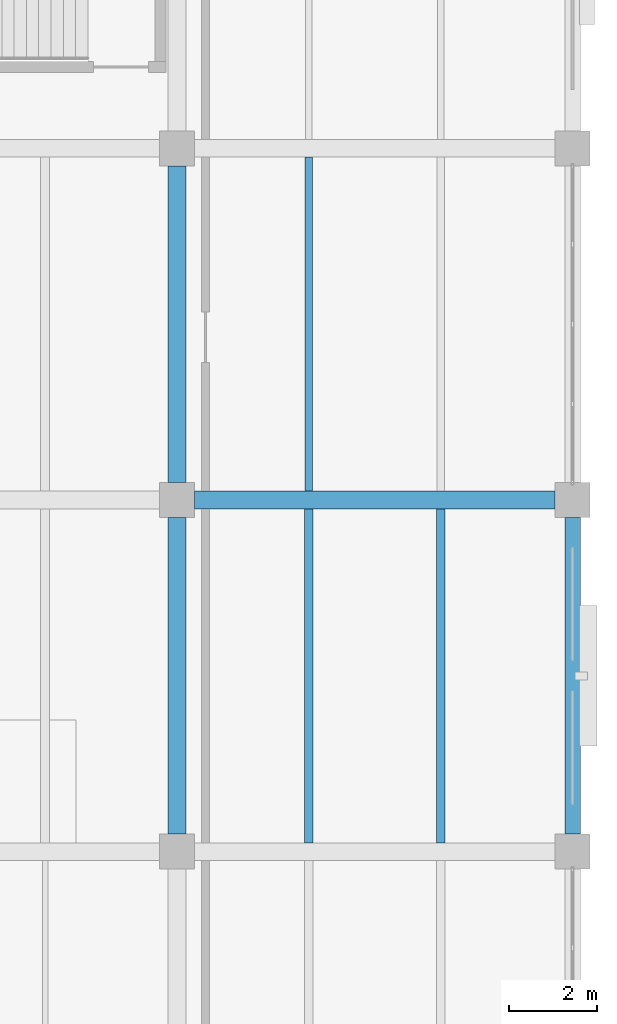
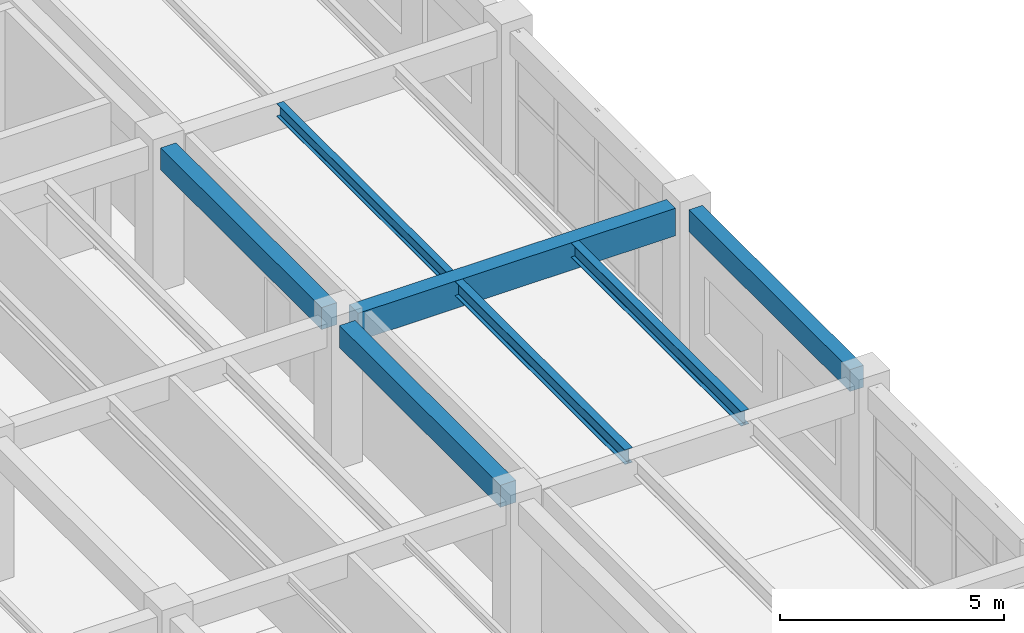
# One storey, part 107 of 148: 7 beams.
"""IFC4 building model written with IfcOpenShell, lengths in metres."""

from ifc_helpers import new_model, si_unit, derived_unit, direction, frame, origin, origin_2d, place, context, subcontext, project, spatial, rectangle, i_section, extrude, material, material_profile, profile_set, type_object, element, save


model = new_model("IFC4")

# Units and contexts
model_context = context("Model", 3, precision=1e-05, world=origin(), true_north=direction((0.0, 1.0)))
body_context = subcontext(model_context, "Body", "Model", "MODEL_VIEW")
ifc_project = project(units=[si_unit("LENGTHUNIT", "METRE"), si_unit("AREAUNIT", "SQUARE_METRE"), si_unit("VOLUMEUNIT", "CUBIC_METRE"), si_unit("PLANEANGLEUNIT", "RADIAN"), si_unit("MASSUNIT", "GRAM", prefix="KILO"), derived_unit("THERMALTRANSMITTANCEUNIT", [(si_unit("MASSUNIT", "GRAM", prefix="KILO"), 1), (si_unit("TIMEUNIT", "SECOND"), -3), (si_unit("THERMODYNAMICTEMPERATUREUNIT", "KELVIN"), -1)])], contexts=[model_context])

# Site, building, storey
site_placement = place(None, origin())
site = spatial("IfcSite", under=ifc_project, at=site_placement, CompositionType="ELEMENT")
building_placement = place(site_placement, origin())
building = spatial("IfcBuilding", under=site, at=building_placement, Name="Zhenchuan Archway Interchange", CompositionType="ELEMENT")
storey_placement = place(building_placement, frame((0.0, 0.0, 10.199951171875)))
storey = spatial("IfcBuildingStorey", under=building, at=storey_placement, Name="L02", CompositionType="ELEMENT", Elevation=10.199951171875)

# Beams
ifc_material_1 = material(Name="Concrete C40", Category="concrete")
ifc_material_profile_1 = material_profile(ifc_material_1, rectangle(XDim=0.39990234375, YDim=0.60009765625, at=origin_2d()), Name="RC 400x600")
ifc_profile_set_1 = profile_set([ifc_material_profile_1], Name="Concrete C40")
beam_type_1 = type_object("IfcBeamType", Name="BM_RC_400x600", PredefinedType="BEAM", material=ifc_profile_set_1)
for number, where, z_axis, x_axis, name in (
    (1, (162.0, 72.39990234375, 3.6201171875), (0.0, 1.0, 0.0), (-1.0, 0.0, 0.0), "Beam 19:K-L (L02)"),
    (2, (162.0, 80.39990234375, 3.6201171875), (0.0, 1.0, 0.0), (-1.0, 0.0, 0.0), "Beam 19:L-M (L02)"),
):
    element("IfcBeam", number, at=place(storey_placement, frame(where, z_axis=z_axis, x_axis=x_axis)), inside=storey, type_object=beam_type_1, Name=name, PredefinedType="BEAM", context=body_context, shape_type="SweptSolid", body=[
        extrude(rectangle(XDim=0.39990234375, YDim=0.60009765625, at=origin_2d()), origin(), (0.0, 0.0, 1.0), 7.2001953125),
    ])
ifc_material_profile_2 = material_profile(ifc_material_1, rectangle(XDim=0.39990234375, YDim=0.75, at=origin_2d()), Name="RC 400x750")
ifc_profile_set_2 = profile_set([ifc_material_profile_2], Name="Concrete C40")
beam_type_2 = type_object("IfcBeamType", Name="BM_RC_400x750", PredefinedType="BEAM", material=ifc_profile_set_2)
beam_1_placement = place(storey_placement, frame((162.39990234375, 80.0, 3.545166015625), z_axis=(1.0, 0.0, 0.0), x_axis=(0.0, 1.0, 0.0)))
element("IfcBeam", 3, at=beam_1_placement, inside=storey, type_object=beam_type_2, Name="Beam L:19-20 (L02)", PredefinedType="BEAM", context=body_context, shape_type="SweptSolid", body=[
    extrude(rectangle(XDim=0.39990234375, YDim=0.75, at=origin_2d()), origin(), (0.0, 0.0, 1.0), 8.2001953125),
])
ifc_material_2 = material(Name="Steel Q355", Category="steel")
ifc_material_profile_3 = material_profile(ifc_material_2, i_section(OverallWidth=0.175048828125, OverallDepth=0.35009765625, WebThickness=0.007080078125, FlangeThickness=0.010986328125, FilletRadius=0.013916015625, at=origin_2d()), Name="HN 350x175")
ifc_profile_set_3 = profile_set([ifc_material_profile_3], Name="Steel Q355")
beam_type_3 = type_object("IfcBeamType", Name="JST_STL_HN350", PredefinedType="JOIST", material=ifc_profile_set_3)
beam_2_placement = place(storey_placement, frame((165.0, 80.199951171875, 3.7451171875), z_axis=(0.0, 1.0, 0.0), x_axis=(-1.0, 0.0, 0.0)))
element("IfcBeam", 4, at=beam_2_placement, inside=storey, type_object=beam_type_3, Name="Secondary joist 19-20/L-M #1 (L02)", PredefinedType="JOIST", context=body_context, shape_type="SweptSolid", body=[
    extrude(i_section(OverallWidth=0.175048828125, OverallDepth=0.35009765625, WebThickness=0.007080078125, FlangeThickness=0.010986328125, FilletRadius=0.013916015625, at=origin_2d()), origin(), (0.0, 0.0, 1.0), 7.60009765625),
])
ifc_material_profile_4 = material_profile(ifc_material_2, i_section(OverallWidth=0.199951171875, OverallDepth=0.39990234375, WebThickness=0.008056640625, FlangeThickness=0.012939453125, FilletRadius=0.01611328125, at=origin_2d()), Name="HN 400x200")
ifc_profile_set_4 = profile_set([ifc_material_profile_4], Name="Steel Q355")
beam_type_4 = type_object("IfcBeamType", Name="JST_STL_HN400", PredefinedType="JOIST", material=ifc_profile_set_4)
for number, where, z_axis, x_axis, name in (
    (5, (165.0, 72.199951171875, 3.719970703125), (0.0, 1.0, 0.0), (-1.0, 0.0, 0.0), "Secondary joist 19-20/K-L #1 (L02)"),
    (6, (168.0, 72.199951171875, 3.719970703125), (0.0, 1.0, 0.0), (-1.0, 0.0, 0.0), "Secondary joist 19-20/K-L #2 (L02)"),
):
    element("IfcBeam", number, at=place(storey_placement, frame(where, z_axis=z_axis, x_axis=x_axis)), inside=storey, type_object=beam_type_4, Name=name, PredefinedType="JOIST", context=body_context, shape_type="SweptSolid", body=[
        extrude(i_section(OverallWidth=0.199951171875, OverallDepth=0.39990234375, WebThickness=0.008056640625, FlangeThickness=0.012939453125, FilletRadius=0.01611328125, at=origin_2d()), origin(), (0.0, 0.0, 1.0), 7.60009765625),
    ])
ifc_material_profile_5 = material_profile(ifc_material_1, rectangle(XDim=0.35009765625, YDim=0.60009765625, at=origin_2d()), Name="RC 350x600")
ifc_profile_set_5 = profile_set([ifc_material_profile_5], Name="Concrete C40")
beam_type_5 = type_object("IfcBeamType", Name="SP_RC_350x600", PredefinedType="SPANDREL", material=ifc_profile_set_5)
beam_3_placement = place(storey_placement, frame((171.0, 72.39990234375, 3.6201171875), z_axis=(0.0, 1.0, 0.0), x_axis=(-1.0, 0.0, 0.0)))
element("IfcBeam", 7, at=beam_3_placement, inside=storey, type_object=beam_type_5, Name="Beam 20:K-L (L02)", PredefinedType="SPANDREL", context=body_context, shape_type="SweptSolid", body=[
    extrude(rectangle(XDim=0.35009765625, YDim=0.60009765625, at=origin_2d()), origin(), (0.0, 0.0, 1.0), 7.2001953125),
])

save(model, "model.ifc")
